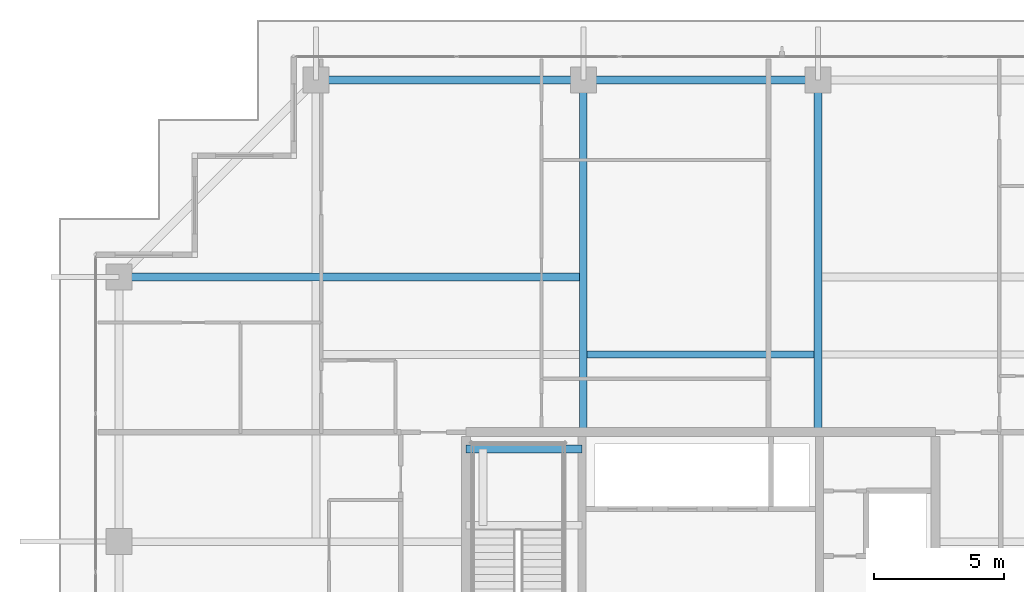
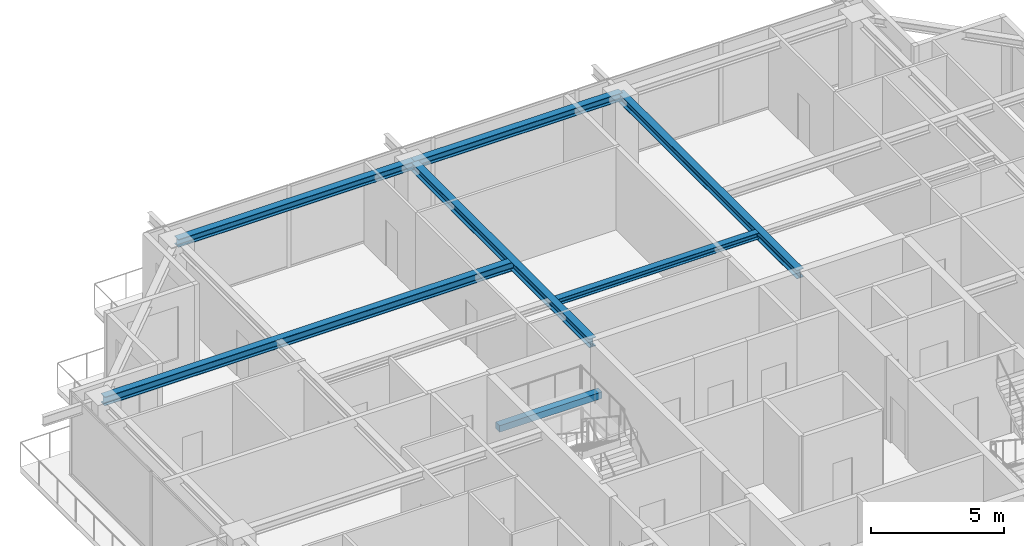
# One storey, part 21 of 41: 7 beams.
"""IFC4 building model written with IfcOpenShell, lengths in metres."""

from ifc_helpers import new_model, si_unit, direction, frame, origin, origin_2d, place, context, subcontext, project, spatial, rectangle, i_section, extrude, source, transform, mapped, material, material_profile, profile_set, type_object, element, save


model = new_model("IFC4")

# Units and contexts
model_context = context("Model", 3, precision=1e-05, world=origin(), true_north=direction((0.0, 1.0)))
body_context = subcontext(model_context, "Body", "Model", "MODEL_VIEW")
ifc_project = project(units=[si_unit("LENGTHUNIT", "METRE"), si_unit("AREAUNIT", "SQUARE_METRE"), si_unit("VOLUMEUNIT", "CUBIC_METRE"), si_unit("PLANEANGLEUNIT", "RADIAN"), si_unit("MASSUNIT", "GRAM", prefix="KILO")], contexts=[model_context])

# Site, building, storey
site_placement = place(None, origin())
site = spatial("IfcSite", under=ifc_project, at=site_placement, CompositionType="ELEMENT")
building_placement = place(site_placement, origin())
building = spatial("IfcBuilding", under=site, at=building_placement, Name="Serunith Strait Residences", CompositionType="ELEMENT")
storey_placement = place(building_placement, frame((0.0, 0.0, 301.550048828125)))
storey = spatial("IfcBuildingStorey", under=building, at=storey_placement, Name="L75", CompositionType="ELEMENT", Elevation=301.550048828125)

# Beams
ifc_material_1 = material(Name="Steel S355J2", Category="steel")
ifc_material_profile_1 = material_profile(ifc_material_1, i_section(OverallWidth=0.280029296875, OverallDepth=0.280029296875, WebThickness=0.010498046875, FlangeThickness=0.01806640625, FilletRadius=0.02392578125, at=origin_2d()), Name="HEB 280")
ifc_profile_set_1 = profile_set([ifc_material_profile_1], Name="Steel S355J2")
beam_type_1 = type_object("IfcBeamType", Name="BM-HEB280", PredefinedType="JOIST", material=ifc_profile_set_1)
shared_shape_1 = source(origin(), body_context, "Body", "SweptSolid", [
    extrude(i_section(OverallWidth=0.280029296875, OverallDepth=0.280029296875, WebThickness=0.010498046875, FlangeThickness=0.01806640625, FilletRadius=0.02392578125, at=origin_2d()), origin(), (0.0, 0.0, 1.0), 8.699951171875),
])
beam_1_placement = place(storey_placement, frame((28.050048828125, 36.574951171875, 3.64697265625), z_axis=(1.0, 0.0, 0.0), x_axis=(0.0, 1.0, 0.0)))
element("IfcBeam", 1, at=beam_1_placement, inside=storey, type_object=beam_type_1, Name="L75 Composite Floor Joist 05", PredefinedType="JOIST", context=body_context, shape_type="MappedRepresentation", body=[
    mapped(shared_shape_1, transform((0.0, 0.0, 0.0), scale=1.0)),
])
ifc_material_profile_2 = material_profile(ifc_material_1, i_section(OverallWidth=0.300048828125, OverallDepth=0.39990234375, WebThickness=0.013427734375, FlangeThickness=0.02392578125, FilletRadius=0.027099609375, at=origin_2d()), Name="HEB 400")
ifc_profile_set_2 = profile_set([ifc_material_profile_2], Name="Steel S355J2")
beam_type_2 = type_object("IfcBeamType", Name="BM-HEB400", PredefinedType="BEAM", material=ifc_profile_set_2)
shared_shape_2 = source(origin(), body_context, "Body", "SweptSolid", [
    extrude(i_section(OverallWidth=0.300048828125, OverallDepth=0.39990234375, WebThickness=0.013427734375, FlangeThickness=0.02392578125, FilletRadius=0.027099609375, at=origin_2d()), origin(), (0.0, 0.0, 1.0), 13.5),
])
for number, where, z_axis, x_axis, name in (
    (2, (27.89990234375, 33.60009765625, 3.5869140625), (0.0, 1.0, 0.0), (-1.0, 0.0, 0.0), "L75 Primary Floor Girder TC-N2"),
    (3, (36.89990234375, 33.60009765625, 3.5869140625), (0.0, 1.0, 0.0), (-1.0, 0.0, 0.0), "L75 Primary Floor Girder TC-N3"),
):
    element("IfcBeam", number, at=place(storey_placement, frame(where, z_axis=z_axis, x_axis=x_axis)), inside=storey, type_object=beam_type_2, Name=name, PredefinedType="BEAM", context=body_context, shape_type="MappedRepresentation", body=[
        mapped(shared_shape_2, transform((0.0, 0.0, 0.0), scale=1.0)),
    ])
shared_shape_3 = source(origin(), body_context, "Body", "SweptSolid", [
    extrude(i_section(OverallWidth=0.300048828125, OverallDepth=0.39990234375, WebThickness=0.013427734375, FlangeThickness=0.02392578125, FilletRadius=0.027099609375, at=origin_2d()), origin(), (0.0, 0.0, 1.0), 17.7998046875),
])
beam_2_placement = place(storey_placement, frame((27.89990234375, 39.550048828125, 3.5869140625), z_axis=(-1.0, 0.0, 0.0), x_axis=(0.0, -1.0, 0.0)))
element("IfcBeam", 4, at=beam_2_placement, inside=storey, type_object=beam_type_2, Name="L75 Orthogonal Corner Girder TC-W4", PredefinedType="BEAM", context=body_context, shape_type="MappedRepresentation", body=[
    mapped(shared_shape_3, transform((0.0, 0.0, 0.0), scale=1.0)),
])
ifc_material_profile_3 = material_profile(ifc_material_1, i_section(OverallWidth=0.300048828125, OverallDepth=0.360107421875, WebThickness=0.012451171875, FlangeThickness=0.0224609375, FilletRadius=0.027099609375, at=origin_2d()), Name="HEB 360")
ifc_profile_set_3 = profile_set([ifc_material_profile_3], Name="Steel S355J2")
beam_type_3 = type_object("IfcBeamType", Name="BM-HEB360", PredefinedType="BEAM", material=ifc_profile_set_3)
shared_shape_4 = source(origin(), body_context, "Body", "SweptSolid", [
    extrude(i_section(OverallWidth=0.300048828125, OverallDepth=0.360107421875, WebThickness=0.012451171875, FlangeThickness=0.0224609375, FilletRadius=0.027099609375, at=origin_2d()), origin(), (0.0, 0.0, 1.0), 10.25),
])
beam_3_placement = place(storey_placement, frame((27.89990234375, 47.10009765625, 3.60693359375), z_axis=(-1.0, 0.0, 0.0), x_axis=(0.0, -1.0, 0.0)))
element("IfcBeam", 5, at=beam_3_placement, inside=storey, type_object=beam_type_3, Name="L75 Perimeter Ring Beam 11", PredefinedType="BEAM", context=body_context, shape_type="MappedRepresentation", body=[
    mapped(shared_shape_4, transform((0.0, 0.0, 0.0), scale=1.0)),
])
shared_shape_5 = source(origin(), body_context, "Body", "SweptSolid", [
    extrude(i_section(OverallWidth=0.300048828125, OverallDepth=0.360107421875, WebThickness=0.012451171875, FlangeThickness=0.0224609375, FilletRadius=0.027099609375, at=origin_2d()), origin(), (0.0, 0.0, 1.0), 9.0),
])
beam_4_placement = place(storey_placement, frame((36.89990234375, 47.10009765625, 3.60693359375), z_axis=(-1.0, 0.0, 0.0), x_axis=(0.0, -1.0, 0.0)))
element("IfcBeam", 6, at=beam_4_placement, inside=storey, type_object=beam_type_3, Name="L75 Perimeter Ring Beam 10", PredefinedType="BEAM", context=body_context, shape_type="MappedRepresentation", body=[
    mapped(shared_shape_5, transform((0.0, 0.0, 0.0), scale=1.0)),
])
ifc_material_2 = material(Name="Concrete C60/75", Category="concrete")
ifc_material_profile_4 = material_profile(ifc_material_2, rectangle(XDim=0.300048828125, YDim=0.300048828125, at=origin_2d()), Name="RC 300x300")
ifc_profile_set_4 = profile_set([ifc_material_profile_4], Name="Concrete C60/75")
beam_type_4 = type_object("IfcBeamType", Name="BM-LAND-300x300", PredefinedType="BEAM", material=ifc_profile_set_4)
shared_shape_6 = source(origin(), body_context, "Body", "SweptSolid", [
    extrude(rectangle(XDim=0.300048828125, YDim=0.300048828125, at=origin_2d()), origin(), (0.0, 0.0, 1.0), 4.4501953125),
])
beam_5_placement = place(storey_placement, frame((23.39990234375, 32.949951171875, 1.675048828125), z_axis=(1.0, 0.0, 0.0), x_axis=(0.0, 1.0, 0.0)))
element("IfcBeam", 7, at=beam_5_placement, inside=storey, type_object=beam_type_4, Name="L75 ST-1 Landing Support Beam 2", PredefinedType="BEAM", context=body_context, shape_type="MappedRepresentation", body=[
    mapped(shared_shape_6, transform((0.0, 0.0, 0.0), scale=1.0)),
])

save(model, "model.ifc")
